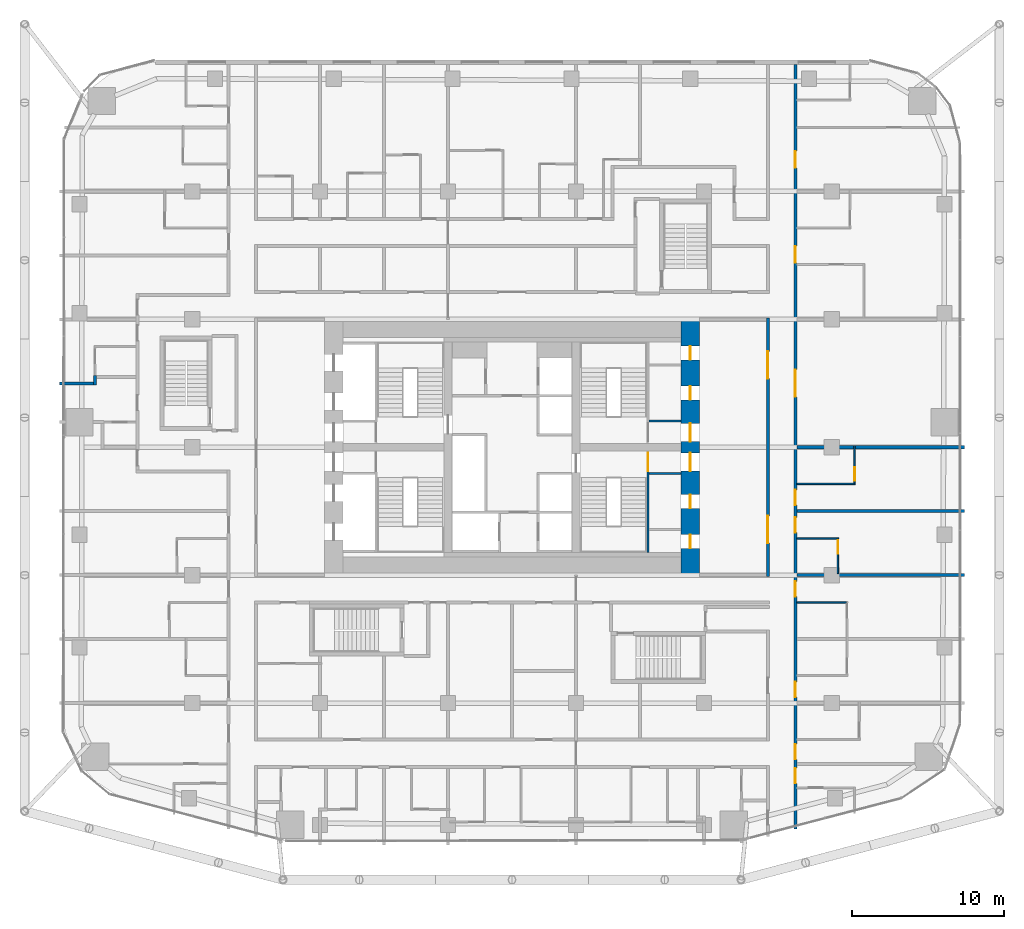
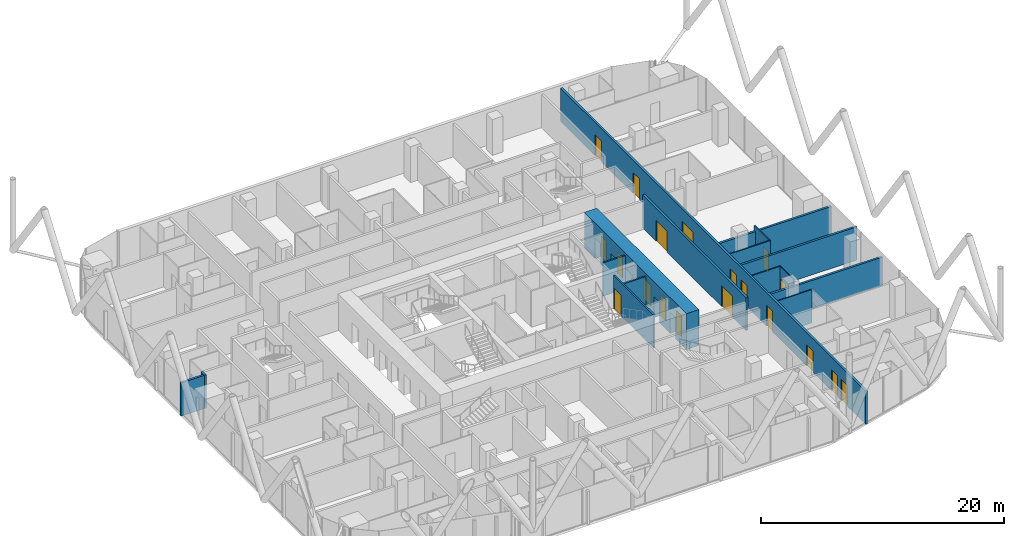
# One storey, part 28 of 35: 20 doors, 16 walls, 20 openings.
"""IFC4 building model written with IfcOpenShell, lengths in metres."""

from ifc_helpers import new_model, si_unit, direction, frame, frame_2d, origin, place, context, subcontext, project, spatial, rectangle, extrude, material, layer, layer_set, type_object, element, fill, save


model = new_model("IFC4")

# Units and contexts
model_context = context("Model", 3, precision=1e-05, world=origin(), true_north=direction((0.0, 1.0)))
body_context = subcontext(model_context, "Body", "Model", "MODEL_VIEW")
ifc_project = project(units=[si_unit("LENGTHUNIT", "METRE"), si_unit("AREAUNIT", "SQUARE_METRE"), si_unit("VOLUMEUNIT", "CUBIC_METRE"), si_unit("PLANEANGLEUNIT", "RADIAN"), si_unit("MASSUNIT", "GRAM", prefix="KILO")], contexts=[model_context])

# Site, building, storey
site_placement = place(None, origin())
site = spatial("IfcSite", under=ifc_project, at=site_placement, CompositionType="ELEMENT")
building_placement = place(site_placement, origin())
building = spatial("IfcBuilding", under=site, at=building_placement, Name="Marenta Gate Hotel Tower", CompositionType="ELEMENT")
storey_placement = place(building_placement, frame((0.0, 0.0, 61.699951171875)))
storey = spatial("IfcBuildingStorey", under=building, at=storey_placement, Name="L13", CompositionType="ELEMENT", Elevation=61.699951171875)

# Wall, openings, doors
ifc_material_1 = material(Name="Concrete blockwork", Category="masonry")
ifc_layer_1 = layer(ifc_material_1, 0.199951171875)
ifc_layer_set_1 = layer_set([ifc_layer_1], Name="Concrete blockwork")
wall_type_1 = type_object("IfcWallType", Name="Core boundary wall 200 REI 180", PredefinedType="PARTITIONING", material=ifc_layer_set_1)
wall_1_placement = place(storey_placement, frame((16.800048828125, -0.10009765625, 0.0), z_axis=(0.0, 0.0, 1.0), x_axis=(0.0, 1.0, 0.0)))
wall_1 = element("IfcWall", 1, at=wall_1_placement, inside=storey, type_object=wall_type_1, Name="L13-CP-BW-E", PredefinedType="PARTITIONING", context=body_context, shape_type="SweptSolid", body=[
    extrude(rectangle(XDim=17.0, YDim=0.199951171875, at=frame_2d((8.5, 0.0))), origin(), (0.0, 0.0, 1.0), 3.340087890625),
])
opening_1_placement = place(wall_1_placement, frame((2.199951171875, 0.0, 0.0)))
opening_1 = element("IfcOpeningElement", 2, at=opening_1_placement, cuts=wall_1, Name="Opening ED-Ea-B", PredefinedType="OPENING", context=body_context, shape_type="SweptSolid", body=[
    extrude(rectangle(XDim=1.800048828125, YDim=2.10009765625, at=frame_2d((0.89990234375, 1.050048828125))), frame((0.0, 0.10009765625, 0.0), z_axis=(0.0, -1.0, 0.0), x_axis=(1.0, 0.0, 0.0)), (0.0, 0.0, 1.0), 0.199951171875),
])
opening_2_placement = place(wall_1_placement, frame((13.0, 0.0, 0.0)))
opening_2 = element("IfcOpeningElement", 3, at=opening_2_placement, cuts=wall_1, Name="Opening ED-Eb-B", PredefinedType="OPENING", context=body_context, shape_type="SweptSolid", body=[
    extrude(rectangle(XDim=1.800048828125, YDim=2.10009765625, at=frame_2d((0.89990234375, 1.050048828125))), frame((0.0, 0.10009765625, 0.0), z_axis=(0.0, -1.0, 0.0), x_axis=(1.0, 0.0, 0.0)), (0.0, 0.0, 1.0), 0.199951171875),
])
ifc_material_2 = material(Name="Steel", Category="steel")
door_type_1 = type_object("IfcDoorType", Name="Core lobby entrance door 1800x2100 EI 60", OperationType="DOUBLE_DOOR_SINGLE_SWING", PredefinedType="DOOR", material=ifc_material_2)
door_1_placement = place(opening_1_placement, origin())
door_1 = element("IfcDoor", 4, at=door_1_placement, inside=storey, type_object=door_type_1, Name="ED-Ea-B", OperationType="DOUBLE_DOOR_SINGLE_SWING", OverallHeight=2.10009765625, OverallWidth=1.800048828125, PredefinedType="DOOR", context=body_context, shape_type="SweptSolid", body=[
    extrude(rectangle(XDim=1.800048828125, YDim=2.10009765625, at=frame_2d((0.89990234375, 1.050048828125))), frame((0.0, 0.02490234375, 0.0), z_axis=(0.0, -1.0, 0.0), x_axis=(1.0, 0.0, 0.0)), (0.0, 0.0, 1.0), 0.050048828125),
])
fill(opening_1, door_1)
door_2_placement = place(opening_2_placement, origin())
door_2 = element("IfcDoor", 5, at=door_2_placement, inside=storey, type_object=door_type_1, Name="ED-Eb-B", OperationType="DOUBLE_DOOR_SINGLE_SWING", OverallHeight=2.10009765625, OverallWidth=1.800048828125, PredefinedType="DOOR", context=body_context, shape_type="SweptSolid", body=[
    extrude(rectangle(XDim=1.800048828125, YDim=2.10009765625, at=frame_2d((0.89990234375, 1.050048828125))), frame((0.0, 0.02490234375, 0.0), z_axis=(0.0, -1.0, 0.0), x_axis=(1.0, 0.0, 0.0)), (0.0, 0.0, 1.0), 0.050048828125),
])
fill(opening_2, door_2)

# Walls
ifc_material_3 = material(Name="Concrete blockwork", Category="masonry")
ifc_layer_2 = layer(ifc_material_3, 0.14990234375)
ifc_layer_set_2 = layer_set([ifc_layer_2], Name="Concrete blockwork")
wall_type_2 = type_object("IfcWallType", Name="Core room partition 150 REI 180", PredefinedType="PARTITIONING", material=ifc_layer_set_2)
for number, where, z_axis, x_axis, name in (
    (6, (9.0, 6.675048828125, 0.0), (0.0, 0.0, 1.0), (1.0, 0.0, 0.0), "L13-CP-SW-ES-2"),
    (7, (9.0, 10.125, 0.0), (0.0, 0.0, 1.0), (1.0, 0.0, 0.0), "L13-CP-SW-EN-2"),
):
    element("IfcWall", number, at=place(storey_placement, frame(where, z_axis=z_axis, x_axis=x_axis)), inside=storey, type_object=wall_type_2, Name=name, PredefinedType="PARTITIONING", context=body_context, shape_type="SweptSolid", body=[
        extrude(rectangle(XDim=2.10009765625, YDim=0.14990234375, at=frame_2d((1.050048828125, 0.0))), origin(), (0.0, 0.0, 1.0), 3.340087890625),
    ])

# Wall, opening, door
ifc_material_4 = material(Name="Concrete C40", Category="concrete")
ifc_layer_3 = layer(ifc_material_4, 0.14990234375)
ifc_layer_set_3 = layer_set([ifc_layer_3], Name="Concrete C40")
wall_type_3 = type_object("IfcWallType", Name="Core stair enclosure wall 150 REI 180", PredefinedType="SHEAR", material=ifc_layer_set_3)
wall_2_placement = place(storey_placement, frame((8.925048828125, 1.5, 0.0), z_axis=(0.0, 0.0, 1.0), x_axis=(0.0, 1.0, 0.0)))
wall_2 = element("IfcWall", 8, at=wall_2_placement, inside=storey, type_object=wall_type_3, Name="L13-SHF-SW-ES-3", PredefinedType="SHEAR", context=body_context, shape_type="SweptSolid", body=[
    extrude(rectangle(XDim=6.60009765625, YDim=0.14990234375, at=frame_2d((3.300048828125, 0.0))), origin(), (0.0, 0.0, 1.0), 3.340087890625),
])
opening_3_placement = place(wall_2_placement, frame((5.324951171875, 0.0, 0.0)))
opening_3 = element("IfcOpeningElement", 9, at=opening_3_placement, cuts=wall_2, Name="Opening SD-ES", PredefinedType="OPENING", context=body_context, shape_type="SweptSolid", body=[
    extrude(rectangle(XDim=1.199951171875, YDim=2.10009765625, at=frame_2d((0.60009765625, 1.050048828125))), frame((0.0, 0.074951171875, 0.0), z_axis=(0.0, -1.0, 0.0), x_axis=(1.0, 0.0, 0.0)), (0.0, 0.0, 1.0), 0.14990234375),
])
ifc_material_5 = material(Name="Steel", Category="steel")
door_type_2 = type_object("IfcDoorType", Name="Core stair door 1200x2100 FD60", OperationType="SINGLE_SWING_LEFT", PredefinedType="DOOR", material=ifc_material_5)
door_3_placement = place(opening_3_placement, origin())
door_3 = element("IfcDoor", 10, at=door_3_placement, inside=storey, type_object=door_type_2, Name="SD-ES", OperationType="SINGLE_SWING_LEFT", OverallHeight=2.10009765625, OverallWidth=1.199951171875, PredefinedType="DOOR", context=body_context, shape_type="SweptSolid", body=[
    extrude(rectangle(XDim=1.199951171875, YDim=2.10009765625, at=frame_2d((0.60009765625, 1.050048828125))), frame((0.0, 0.02490234375, 0.0), z_axis=(0.0, -1.0, 0.0), x_axis=(1.0, 0.0, 0.0)), (0.0, 0.0, 1.0), 0.050048828125),
])
fill(opening_3, door_3)

# Wall, openings, doors
ifc_material_6 = material(Name="Concrete C80", Category="concrete")
ifc_layer_4 = layer(ifc_material_6, 1.199951171875)
ifc_layer_set_4 = layer_set([ifc_layer_4], Name="Concrete C80")
wall_type_4 = type_object("IfcWallType", Name="Core wall 1200 C80", PredefinedType="SHEAR", material=ifc_layer_set_4)
wall_3_placement = place(storey_placement, frame((11.699951171875, 0.0, 0.0), z_axis=(0.0, 0.0, 1.0), x_axis=(0.0, 1.0, 0.0)))
wall_3 = element("IfcWall", 11, at=wall_3_placement, inside=storey, type_object=wall_type_4, Name="L13-CORE-E", PredefinedType="SHEAR", context=body_context, shape_type="SweptSolid", body=[
    extrude(rectangle(XDim=16.800048828125, YDim=1.199951171875, at=frame_2d((8.39990234375, 0.0))), origin(), (0.0, 0.0, 1.0), 3.60009765625),
])
opening_4_placement = place(wall_3_placement, frame((1.762451171875, 0.0, 0.0)))
opening_4 = element("IfcOpeningElement", 12, at=opening_4_placement, cuts=wall_3, Name="Opening RD-ES-1", PredefinedType="OPENING", context=body_context, shape_type="SweptSolid", body=[
    extrude(rectangle(XDim=0.89990234375, YDim=2.10009765625, at=frame_2d((0.449951171875, 1.050048828125))), frame((0.0, 0.60009765625, 0.0), z_axis=(0.0, -1.0, 0.0), x_axis=(1.0, 0.0, 0.0)), (0.0, 0.0, 1.0), 1.199951171875),
])
opening_5_placement = place(wall_3_placement, frame((4.387451171875, 0.0, 0.0)))
opening_5 = element("IfcOpeningElement", 13, at=opening_5_placement, cuts=wall_3, Name="Opening RD-ES-2", PredefinedType="OPENING", context=body_context, shape_type="SweptSolid", body=[
    extrude(rectangle(XDim=0.89990234375, YDim=2.10009765625, at=frame_2d((0.449951171875, 1.050048828125))), frame((0.0, 0.60009765625, 0.0), z_axis=(0.0, -1.0, 0.0), x_axis=(1.0, 0.0, 0.0)), (0.0, 0.0, 1.0), 1.199951171875),
])
opening_6_placement = place(wall_3_placement, frame((6.824951171875, 0.0, 0.0)))
opening_6 = element("IfcOpeningElement", 14, at=opening_6_placement, cuts=wall_3, Name="Opening PD-ES", PredefinedType="OPENING", context=body_context, shape_type="SweptSolid", body=[
    extrude(rectangle(XDim=1.199951171875, YDim=2.10009765625, at=frame_2d((0.60009765625, 1.050048828125))), frame((0.0, 0.60009765625, 0.0), z_axis=(0.0, -1.0, 0.0), x_axis=(1.0, 0.0, 0.0)), (0.0, 0.0, 1.0), 1.199951171875),
])
opening_7_placement = place(wall_3_placement, frame((14.137451171875, 0.0, 0.0)))
opening_7 = element("IfcOpeningElement", 15, at=opening_7_placement, cuts=wall_3, Name="Opening RD-EN-1", PredefinedType="OPENING", context=body_context, shape_type="SweptSolid", body=[
    extrude(rectangle(XDim=0.89990234375, YDim=2.10009765625, at=frame_2d((0.449951171875, 1.050048828125))), frame((0.0, 0.60009765625, 0.0), z_axis=(0.0, -1.0, 0.0), x_axis=(1.0, 0.0, 0.0)), (0.0, 0.0, 1.0), 1.199951171875),
])
opening_8_placement = place(wall_3_placement, frame((11.512451171875, 0.0, 0.0)))
opening_8 = element("IfcOpeningElement", 16, at=opening_8_placement, cuts=wall_3, Name="Opening RD-EN-2", PredefinedType="OPENING", context=body_context, shape_type="SweptSolid", body=[
    extrude(rectangle(XDim=0.89990234375, YDim=2.10009765625, at=frame_2d((0.449951171875, 1.050048828125))), frame((0.0, 0.60009765625, 0.0), z_axis=(0.0, -1.0, 0.0), x_axis=(1.0, 0.0, 0.0)), (0.0, 0.0, 1.0), 1.199951171875),
])
opening_9_placement = place(wall_3_placement, frame((8.77490234375, 0.0, 0.0)))
opening_9 = element("IfcOpeningElement", 17, at=opening_9_placement, cuts=wall_3, Name="Opening PD-EN", PredefinedType="OPENING", context=body_context, shape_type="SweptSolid", body=[
    extrude(rectangle(XDim=1.199951171875, YDim=2.10009765625, at=frame_2d((0.60009765625, 1.050048828125))), frame((0.0, 0.60009765625, 0.0), z_axis=(0.0, -1.0, 0.0), x_axis=(1.0, 0.0, 0.0)), (0.0, 0.0, 1.0), 1.199951171875),
])
ifc_material_7 = material(Name="Steel", Category="steel")
door_type_3 = type_object("IfcDoorType", Name="Core lobby door 1200x2100 FD60", OperationType="SINGLE_SWING_LEFT", PredefinedType="DOOR", material=ifc_material_7)
door_4_placement = place(opening_6_placement, origin())
door_4 = element("IfcDoor", 18, at=door_4_placement, inside=storey, type_object=door_type_3, Name="PD-ES", OperationType="SINGLE_SWING_LEFT", OverallHeight=2.10009765625, OverallWidth=1.199951171875, PredefinedType="DOOR", context=body_context, shape_type="SweptSolid", body=[
    extrude(rectangle(XDim=1.199951171875, YDim=2.10009765625, at=frame_2d((0.60009765625, 1.050048828125))), frame((0.0, 0.02490234375, 0.0), z_axis=(0.0, -1.0, 0.0), x_axis=(1.0, 0.0, 0.0)), (0.0, 0.0, 1.0), 0.050048828125),
])
fill(opening_6, door_4)
door_5_placement = place(opening_9_placement, origin())
door_5 = element("IfcDoor", 19, at=door_5_placement, inside=storey, type_object=door_type_3, Name="PD-EN", OperationType="SINGLE_SWING_LEFT", OverallHeight=2.10009765625, OverallWidth=1.199951171875, PredefinedType="DOOR", context=body_context, shape_type="SweptSolid", body=[
    extrude(rectangle(XDim=1.199951171875, YDim=2.10009765625, at=frame_2d((0.60009765625, 1.050048828125))), frame((0.0, 0.02490234375, 0.0), z_axis=(0.0, -1.0, 0.0), x_axis=(1.0, 0.0, 0.0)), (0.0, 0.0, 1.0), 0.050048828125),
])
fill(opening_9, door_5)
ifc_material_8 = material(Name="Steel", Category="steel")
door_type_4 = type_object("IfcDoorType", Name="Core service room door 900x2100 FD30S", OperationType="SINGLE_SWING_LEFT", PredefinedType="DOOR", material=ifc_material_8)
door_6_placement = place(opening_4_placement, origin())
door_6 = element("IfcDoor", 20, at=door_6_placement, inside=storey, type_object=door_type_4, Name="RD-ES-1", OperationType="SINGLE_SWING_LEFT", OverallHeight=2.10009765625, OverallWidth=0.89990234375, PredefinedType="DOOR", context=body_context, shape_type="SweptSolid", body=[
    extrude(rectangle(XDim=0.89990234375, YDim=2.10009765625, at=frame_2d((0.449951171875, 1.050048828125))), frame((0.0, 0.02490234375, 0.0), z_axis=(0.0, -1.0, 0.0), x_axis=(1.0, 0.0, 0.0)), (0.0, 0.0, 1.0), 0.050048828125),
])
fill(opening_4, door_6)
door_7_placement = place(opening_5_placement, origin())
door_7 = element("IfcDoor", 21, at=door_7_placement, inside=storey, type_object=door_type_4, Name="RD-ES-2", OperationType="SINGLE_SWING_LEFT", OverallHeight=2.10009765625, OverallWidth=0.89990234375, PredefinedType="DOOR", context=body_context, shape_type="SweptSolid", body=[
    extrude(rectangle(XDim=0.89990234375, YDim=2.10009765625, at=frame_2d((0.449951171875, 1.050048828125))), frame((0.0, 0.02490234375, 0.0), z_axis=(0.0, -1.0, 0.0), x_axis=(1.0, 0.0, 0.0)), (0.0, 0.0, 1.0), 0.050048828125),
])
fill(opening_5, door_7)
door_8_placement = place(opening_7_placement, origin())
door_8 = element("IfcDoor", 22, at=door_8_placement, inside=storey, type_object=door_type_4, Name="RD-EN-1", OperationType="SINGLE_SWING_LEFT", OverallHeight=2.10009765625, OverallWidth=0.89990234375, PredefinedType="DOOR", context=body_context, shape_type="SweptSolid", body=[
    extrude(rectangle(XDim=0.89990234375, YDim=2.10009765625, at=frame_2d((0.449951171875, 1.050048828125))), frame((0.0, 0.02490234375, 0.0), z_axis=(0.0, -1.0, 0.0), x_axis=(1.0, 0.0, 0.0)), (0.0, 0.0, 1.0), 0.050048828125),
])
fill(opening_7, door_8)
door_9_placement = place(opening_8_placement, origin())
door_9 = element("IfcDoor", 23, at=door_9_placement, inside=storey, type_object=door_type_4, Name="RD-EN-2", OperationType="SINGLE_SWING_LEFT", OverallHeight=2.10009765625, OverallWidth=0.89990234375, PredefinedType="DOOR", context=body_context, shape_type="SweptSolid", body=[
    extrude(rectangle(XDim=0.89990234375, YDim=2.10009765625, at=frame_2d((0.449951171875, 1.050048828125))), frame((0.0, 0.02490234375, 0.0), z_axis=(0.0, -1.0, 0.0), x_axis=(1.0, 0.0, 0.0)), (0.0, 0.0, 1.0), 0.050048828125),
])
fill(opening_8, door_9)

ifc_material_9 = material(Name="Gypsum board on steel stud", Category="steel")
ifc_layer_5 = layer(ifc_material_9, 0.199951171875)
ifc_layer_set_5 = layer_set([ifc_layer_5], Name="Gypsum board on steel stud")
wall_type_5 = type_object("IfcWallType", Name="Room corridor wall 200 EI 60", PredefinedType="PARTITIONING", material=ifc_layer_set_5)
wall_4_placement = place(storey_placement, frame((18.60009765625, -16.6650390625, 0.0), z_axis=(0.0, 0.0, 1.0), x_axis=(0.0, 1.0, 0.0)))
wall_4 = element("IfcWall", 24, at=wall_4_placement, inside=storey, type_object=wall_type_5, Name="L13-PTN-W009", PredefinedType="PARTITIONING", context=body_context, shape_type="SweptSolid", body=[
    extrude(rectangle(XDim=50.205078125, YDim=0.199951171875, at=frame_2d((25.1025390625, 0.0))), origin(), (0.0, 0.0, 1.0), 3.340087890625),
])
opening_10_placement = place(wall_4_placement, frame((2.990966796875, 0.0, 0.0)))
opening_10 = element("IfcOpeningElement", 25, at=opening_10_placement, cuts=wall_4, Name="Opening G04-10", PredefinedType="OPENING", context=body_context, shape_type="SweptSolid", body=[
    extrude(rectangle(XDim=1.0, YDim=2.10009765625, at=frame_2d((0.5, 1.050048828125))), frame((0.0, 0.10009765625, 0.0), z_axis=(0.0, -1.0, 0.0), x_axis=(1.0, 0.0, 0.0)), (0.0, 0.0, 1.0), 0.199951171875),
])
opening_11_placement = place(wall_4_placement, frame((4.573974609375, 0.0, 0.0)))
opening_11 = element("IfcOpeningElement", 26, at=opening_11_placement, cuts=wall_4, Name="Opening G04-12", PredefinedType="OPENING", context=body_context, shape_type="SweptSolid", body=[
    extrude(rectangle(XDim=1.0, YDim=2.10009765625, at=frame_2d((0.5, 1.050048828125))), frame((0.0, 0.10009765625, 0.0), z_axis=(0.0, -1.0, 0.0), x_axis=(1.0, 0.0, 0.0)), (0.0, 0.0, 1.0), 0.199951171875),
])
opening_12_placement = place(wall_4_placement, frame((8.6650390625, 0.0, 0.0)))
opening_12 = element("IfcOpeningElement", 27, at=opening_12_placement, cuts=wall_4, Name="Opening G04-14", PredefinedType="OPENING", context=body_context, shape_type="SweptSolid", body=[
    extrude(rectangle(XDim=1.0, YDim=2.10009765625, at=frame_2d((0.5, 1.050048828125))), frame((0.0, 0.10009765625, 0.0), z_axis=(0.0, -1.0, 0.0), x_axis=(1.0, 0.0, 0.0)), (0.0, 0.0, 1.0), 0.199951171875),
])
opening_13_placement = place(wall_4_placement, frame((15.264892578125, 0.0, 0.0)))
opening_13 = element("IfcOpeningElement", 28, at=opening_13_placement, cuts=wall_4, Name="Opening G04-16", PredefinedType="OPENING", context=body_context, shape_type="SweptSolid", body=[
    extrude(rectangle(XDim=1.0, YDim=2.10009765625, at=frame_2d((0.5, 1.050048828125))), frame((0.0, 0.10009765625, 0.0), z_axis=(0.0, -1.0, 0.0), x_axis=(1.0, 0.0, 0.0)), (0.0, 0.0, 1.0), 0.199951171875),
])
opening_14_placement = place(wall_4_placement, frame((19.465087890625, 0.0, 0.0)))
opening_14 = element("IfcOpeningElement", 29, at=opening_14_placement, cuts=wall_4, Name="Opening G04-18", PredefinedType="OPENING", context=body_context, shape_type="SweptSolid", body=[
    extrude(rectangle(XDim=1.0, YDim=2.10009765625, at=frame_2d((0.5, 1.050048828125))), frame((0.0, 0.10009765625, 0.0), z_axis=(0.0, -1.0, 0.0), x_axis=(1.0, 0.0, 0.0)), (0.0, 0.0, 1.0), 0.199951171875),
])
opening_15_placement = place(wall_4_placement, frame((21.264892578125, 0.0, 0.0)))
opening_15 = element("IfcOpeningElement", 30, at=opening_15_placement, cuts=wall_4, Name="Opening G04-20", PredefinedType="OPENING", context=body_context, shape_type="SweptSolid", body=[
    extrude(rectangle(XDim=1.0, YDim=2.10009765625, at=frame_2d((0.5, 1.050048828125))), frame((0.0, 0.10009765625, 0.0), z_axis=(0.0, -1.0, 0.0), x_axis=(1.0, 0.0, 0.0)), (0.0, 0.0, 1.0), 0.199951171875),
])
opening_16_placement = place(wall_4_placement, frame((28.364990234375, 0.0, 0.0)))
opening_16 = element("IfcOpeningElement", 31, at=opening_16_placement, cuts=wall_4, Name="Opening G04-22", PredefinedType="OPENING", context=body_context, shape_type="SweptSolid", body=[
    extrude(rectangle(XDim=1.800048828125, YDim=2.10009765625, at=frame_2d((0.89990234375, 1.050048828125))), frame((0.0, 0.10009765625, 0.0), z_axis=(0.0, -1.0, 0.0), x_axis=(1.0, 0.0, 0.0)), (0.0, 0.0, 1.0), 0.199951171875),
])
opening_17_placement = place(wall_4_placement, frame((37.1650390625, 0.0, 0.0)))
opening_17 = element("IfcOpeningElement", 32, at=opening_17_placement, cuts=wall_4, Name="Opening G04-23", PredefinedType="OPENING", context=body_context, shape_type="SweptSolid", body=[
    extrude(rectangle(XDim=1.10009765625, YDim=2.10009765625, at=frame_2d((0.550048828125, 1.050048828125))), frame((0.0, 0.10009765625, 0.0), z_axis=(0.0, -1.0, 0.0), x_axis=(1.0, 0.0, 0.0)), (0.0, 0.0, 1.0), 0.199951171875),
])
opening_18_placement = place(wall_4_placement, frame((43.4150390625, 0.0, 0.0)))
opening_18 = element("IfcOpeningElement", 33, at=opening_18_placement, cuts=wall_4, Name="Opening G04-26", PredefinedType="OPENING", context=body_context, shape_type="SweptSolid", body=[
    extrude(rectangle(XDim=1.10009765625, YDim=2.10009765625, at=frame_2d((0.550048828125, 1.050048828125))), frame((0.0, 0.10009765625, 0.0), z_axis=(0.0, -1.0, 0.0), x_axis=(1.0, 0.0, 0.0)), (0.0, 0.0, 1.0), 0.199951171875),
])
ifc_material_10 = material(Name="Timber door leaf", Category="wood")
door_type_5 = type_object("IfcDoorType", Name="Guest room door 1000x2100 EI 30", OperationType="NOTDEFINED", PredefinedType="DOOR", material=ifc_material_10)
door_10_placement = place(opening_10_placement, origin())
door_10 = element("IfcDoor", 34, at=door_10_placement, inside=storey, type_object=door_type_5, Name="L13-PD-D010", OperationType="SINGLE_SWING_RIGHT", OverallHeight=2.10009765625, OverallWidth=1.0, PredefinedType="DOOR", context=body_context, shape_type="SweptSolid", body=[
    extrude(rectangle(XDim=1.0, YDim=2.10009765625, at=frame_2d((0.5, 1.050048828125))), frame((0.0, 0.02490234375, 0.0), z_axis=(0.0, -1.0, 0.0), x_axis=(1.0, 0.0, 0.0)), (0.0, 0.0, 1.0), 0.050048828125),
])
fill(opening_10, door_10)
door_11_placement = place(opening_11_placement, origin())
door_11 = element("IfcDoor", 35, at=door_11_placement, inside=storey, type_object=door_type_5, Name="L13-PD-D012", OperationType="SINGLE_SWING_RIGHT", OverallHeight=2.10009765625, OverallWidth=1.0, PredefinedType="DOOR", context=body_context, shape_type="SweptSolid", body=[
    extrude(rectangle(XDim=1.0, YDim=2.10009765625, at=frame_2d((0.5, 1.050048828125))), frame((0.0, 0.02490234375, 0.0), z_axis=(0.0, -1.0, 0.0), x_axis=(1.0, 0.0, 0.0)), (0.0, 0.0, 1.0), 0.050048828125),
])
fill(opening_11, door_11)
door_12_placement = place(opening_12_placement, origin())
door_12 = element("IfcDoor", 36, at=door_12_placement, inside=storey, type_object=door_type_5, Name="L13-PD-D014", OperationType="SINGLE_SWING_RIGHT", OverallHeight=2.10009765625, OverallWidth=1.0, PredefinedType="DOOR", context=body_context, shape_type="SweptSolid", body=[
    extrude(rectangle(XDim=1.0, YDim=2.10009765625, at=frame_2d((0.5, 1.050048828125))), frame((0.0, 0.02490234375, 0.0), z_axis=(0.0, -1.0, 0.0), x_axis=(1.0, 0.0, 0.0)), (0.0, 0.0, 1.0), 0.050048828125),
])
fill(opening_12, door_12)
door_13_placement = place(opening_13_placement, origin())
door_13 = element("IfcDoor", 37, at=door_13_placement, inside=storey, type_object=door_type_5, Name="L13-PD-D016", OperationType="SINGLE_SWING_RIGHT", OverallHeight=2.10009765625, OverallWidth=1.0, PredefinedType="DOOR", context=body_context, shape_type="SweptSolid", body=[
    extrude(rectangle(XDim=1.0, YDim=2.10009765625, at=frame_2d((0.5, 1.050048828125))), frame((0.0, 0.02490234375, 0.0), z_axis=(0.0, -1.0, 0.0), x_axis=(1.0, 0.0, 0.0)), (0.0, 0.0, 1.0), 0.050048828125),
])
fill(opening_13, door_13)
door_14_placement = place(opening_14_placement, origin())
door_14 = element("IfcDoor", 38, at=door_14_placement, inside=storey, type_object=door_type_5, Name="L13-PD-D018", OperationType="SINGLE_SWING_RIGHT", OverallHeight=2.10009765625, OverallWidth=1.0, PredefinedType="DOOR", context=body_context, shape_type="SweptSolid", body=[
    extrude(rectangle(XDim=1.0, YDim=2.10009765625, at=frame_2d((0.5, 1.050048828125))), frame((0.0, 0.02490234375, 0.0), z_axis=(0.0, -1.0, 0.0), x_axis=(1.0, 0.0, 0.0)), (0.0, 0.0, 1.0), 0.050048828125),
])
fill(opening_14, door_14)
door_15_placement = place(opening_15_placement, origin())
door_15 = element("IfcDoor", 39, at=door_15_placement, inside=storey, type_object=door_type_5, Name="L13-PD-D020", OperationType="SINGLE_SWING_RIGHT", OverallHeight=2.10009765625, OverallWidth=1.0, PredefinedType="DOOR", context=body_context, shape_type="SweptSolid", body=[
    extrude(rectangle(XDim=1.0, YDim=2.10009765625, at=frame_2d((0.5, 1.050048828125))), frame((0.0, 0.02490234375, 0.0), z_axis=(0.0, -1.0, 0.0), x_axis=(1.0, 0.0, 0.0)), (0.0, 0.0, 1.0), 0.050048828125),
])
fill(opening_15, door_15)
ifc_material_11 = material(Name="Timber door leaf", Category="wood")
door_type_6 = type_object("IfcDoorType", Name="Guest room door 1100x2100 EI 30", OperationType="NOTDEFINED", PredefinedType="DOOR", material=ifc_material_11)
door_16_placement = place(opening_17_placement, origin())
door_16 = element("IfcDoor", 40, at=door_16_placement, inside=storey, type_object=door_type_6, Name="L13-PD-D023", OperationType="SINGLE_SWING_RIGHT", OverallHeight=2.10009765625, OverallWidth=1.10009765625, PredefinedType="DOOR", context=body_context, shape_type="SweptSolid", body=[
    extrude(rectangle(XDim=1.10009765625, YDim=2.10009765625, at=frame_2d((0.550048828125, 1.050048828125))), frame((0.0, 0.02490234375, 0.0), z_axis=(0.0, -1.0, 0.0), x_axis=(1.0, 0.0, 0.0)), (0.0, 0.0, 1.0), 0.050048828125),
])
fill(opening_17, door_16)
door_17_placement = place(opening_18_placement, origin())
door_17 = element("IfcDoor", 41, at=door_17_placement, inside=storey, type_object=door_type_6, Name="L13-PD-D026", OperationType="SINGLE_SWING_RIGHT", OverallHeight=2.10009765625, OverallWidth=1.10009765625, PredefinedType="DOOR", context=body_context, shape_type="SweptSolid", body=[
    extrude(rectangle(XDim=1.10009765625, YDim=2.10009765625, at=frame_2d((0.550048828125, 1.050048828125))), frame((0.0, 0.02490234375, 0.0), z_axis=(0.0, -1.0, 0.0), x_axis=(1.0, 0.0, 0.0)), (0.0, 0.0, 1.0), 0.050048828125),
])
fill(opening_18, door_17)
ifc_material_12 = material(Name="Timber door leaf", Category="wood")
door_type_7 = type_object("IfcDoorType", Name="Room amenity door 1800x2100 EI 30", OperationType="DOUBLE_DOOR_SINGLE_SWING", PredefinedType="DOOR", material=ifc_material_12)
door_18_placement = place(opening_16_placement, origin())
door_18 = element("IfcDoor", 42, at=door_18_placement, inside=storey, type_object=door_type_7, Name="L13-PD-D022", OperationType="DOUBLE_DOOR_SINGLE_SWING", OverallHeight=2.10009765625, OverallWidth=1.800048828125, PredefinedType="DOOR", context=body_context, shape_type="SweptSolid", body=[
    extrude(rectangle(XDim=1.800048828125, YDim=2.10009765625, at=frame_2d((0.89990234375, 1.050048828125))), frame((0.0, 0.02490234375, 0.0), z_axis=(0.0, -1.0, 0.0), x_axis=(1.0, 0.0, 0.0)), (0.0, 0.0, 1.0), 0.050048828125),
])
fill(opening_16, door_18)

# Wall, opening, door
ifc_material_13 = material(Name="Gypsum board on steel stud", Category="steel")
ifc_layer_6 = layer(ifc_material_13, 0.10009765625)
ifc_layer_set_6 = layer_set([ifc_layer_6], Name="Gypsum board on steel stud")
wall_type_6 = type_object("IfcWallType", Name="Room partition 100", PredefinedType="PARTITIONING", material=ifc_layer_set_6)
wall_5_placement = place(storey_placement, frame((22.5, 6.050048828125, 0.0), z_axis=(0.0, 0.0, 1.0), x_axis=(0.0, 1.0, 0.0)))
wall_5 = element("IfcWall", 43, at=wall_5_placement, inside=storey, type_object=wall_type_6, Name="L13-PTN-W004", PredefinedType="PARTITIONING", context=body_context, shape_type="SweptSolid", body=[
    extrude(rectangle(XDim=2.449951171875, YDim=0.10009765625, at=frame_2d((1.22509765625, 0.0))), origin(), (0.0, 0.0, 1.0), 3.340087890625),
])
opening_19_placement = place(wall_5_placement, frame((0.14990234375, 0.0, 0.0)))
opening_19 = element("IfcOpeningElement", 44, at=opening_19_placement, cuts=wall_5, Name="Opening G04-21", PredefinedType="OPENING", context=body_context, shape_type="SweptSolid", body=[
    extrude(rectangle(XDim=0.89990234375, YDim=2.10009765625, at=frame_2d((0.449951171875, 1.050048828125))), frame((0.0, 0.050048828125, 0.0), z_axis=(0.0, -1.0, 0.0), x_axis=(1.0, 0.0, 0.0)), (0.0, 0.0, 1.0), 0.10009765625),
])
ifc_material_14 = material(Name="Timber door leaf", Category="wood")
door_type_8 = type_object("IfcDoorType", Name="Guest bathroom door 900x2100", OperationType="NOTDEFINED", PredefinedType="DOOR", material=ifc_material_14)
door_19_placement = place(opening_19_placement, origin())
door_19 = element("IfcDoor", 45, at=door_19_placement, inside=storey, type_object=door_type_8, Name="L13-PD-D021", OperationType="SINGLE_SWING_LEFT", OverallHeight=2.10009765625, OverallWidth=0.89990234375, PredefinedType="DOOR", context=body_context, shape_type="SweptSolid", body=[
    extrude(rectangle(XDim=0.89990234375, YDim=2.10009765625, at=frame_2d((0.449951171875, 1.050048828125))), frame((0.0, 0.02490234375, 0.0), z_axis=(0.0, -1.0, 0.0), x_axis=(1.0, 0.0, 0.0)), (0.0, 0.0, 1.0), 0.050048828125),
])
fill(opening_19, door_19)

wall_6_placement = place(storey_placement, frame((21.39990234375, 0.10009765625, 0.0), z_axis=(0.0, 0.0, 1.0), x_axis=(0.0, 1.0, 0.0)))
wall_6 = element("IfcWall", 46, at=wall_6_placement, inside=storey, type_object=wall_type_6, Name="L13-PTN-W008", PredefinedType="PARTITIONING", context=body_context, shape_type="SweptSolid", body=[
    extrude(rectangle(XDim=2.349853515625, YDim=0.10009765625, at=frame_2d((1.1748046875, 0.0))), origin(), (0.0, 0.0, 1.0), 3.340087890625),
])
opening_20_placement = place(wall_6_placement, frame((1.300048828125, 0.0, 0.0)))
opening_20 = element("IfcOpeningElement", 47, at=opening_20_placement, cuts=wall_6, Name="Opening G04-19", PredefinedType="OPENING", context=body_context, shape_type="SweptSolid", body=[
    extrude(rectangle(XDim=0.89990234375, YDim=2.10009765625, at=frame_2d((0.449951171875, 1.050048828125))), frame((0.0, 0.050048828125, 0.0), z_axis=(0.0, -1.0, 0.0), x_axis=(1.0, 0.0, 0.0)), (0.0, 0.0, 1.0), 0.10009765625),
])
door_20_placement = place(opening_20_placement, origin())
door_20 = element("IfcDoor", 48, at=door_20_placement, inside=storey, type_object=door_type_8, Name="L13-PD-D019", OperationType="SINGLE_SWING_RIGHT", OverallHeight=2.10009765625, OverallWidth=0.89990234375, PredefinedType="DOOR", context=body_context, shape_type="SweptSolid", body=[
    extrude(rectangle(XDim=0.89990234375, YDim=2.10009765625, at=frame_2d((0.449951171875, 1.050048828125))), frame((0.0, 0.02490234375, 0.0), z_axis=(0.0, -1.0, 0.0), x_axis=(1.0, 0.0, 0.0)), (0.0, 0.0, 1.0), 0.050048828125),
])
fill(opening_20, door_20)

# Walls
wall_7_placement = place(storey_placement, frame((18.699951171875, -1.800048828125, 0.0), z_axis=(0.0, 0.0, 1.0), x_axis=(1.0, 0.0, 0.0)))
element("IfcWall", 49, at=wall_7_placement, inside=storey, type_object=wall_type_6, Name="L13-PTN-W062", PredefinedType="PARTITIONING", context=body_context, shape_type="SweptSolid", body=[
    extrude(rectangle(XDim=3.25, YDim=0.10009765625, at=frame_2d((1.625, 0.0))), origin(), (0.0, 0.0, 1.0), 3.340087890625),
])
wall_8_placement = place(storey_placement, frame((18.699951171875, 2.39990234375, 0.0), z_axis=(0.0, 0.0, 1.0), x_axis=(1.0, 0.0, 0.0)))
element("IfcWall", 50, at=wall_8_placement, inside=storey, type_object=wall_type_6, Name="L13-PTN-W074", PredefinedType="PARTITIONING", context=body_context, shape_type="SweptSolid", body=[
    extrude(rectangle(XDim=2.650146484375, YDim=0.10009765625, at=frame_2d((1.3251953125, 0.0))), origin(), (0.0, 0.0, 1.0), 3.340087890625),
])
wall_9_placement = place(storey_placement, frame((18.699951171875, 6.0, 0.0), z_axis=(0.0, 0.0, 1.0), x_axis=(1.0, 0.0, 0.0)))
element("IfcWall", 51, at=wall_9_placement, inside=storey, type_object=wall_type_6, Name="L13-PTN-W083", PredefinedType="PARTITIONING", context=body_context, shape_type="SweptSolid", body=[
    extrude(rectangle(XDim=3.85009765625, YDim=0.10009765625, at=frame_2d((1.925048828125, 0.0))), origin(), (0.0, 0.0, 1.0), 3.340087890625),
])
ifc_material_15 = material(Name="Gypsum board on steel stud", Category="steel")
ifc_layer_7 = layer(ifc_material_15, 0.199951171875)
ifc_layer_set_7 = layer_set([ifc_layer_7], Name="Gypsum board on steel stud")
wall_type_7 = type_object("IfcWallType", Name="Room party wall 200 EI 60", PredefinedType="PARTITIONING", material=ifc_layer_set_7)
wall_10_placement = place(storey_placement, frame((18.699951171875, 0.0, 0.0), z_axis=(0.0, 0.0, 1.0), x_axis=(1.0, 0.0, 0.0)))
element("IfcWall", 52, at=wall_10_placement, inside=storey, type_object=wall_type_7, Name="L13-PTN-W070", PredefinedType="PARTITIONING", context=body_context, shape_type="SweptSolid", body=[
    extrude(rectangle(XDim=11.0, YDim=0.199951171875, at=frame_2d((5.5, 0.0))), origin(), (0.0, 0.0, 1.0), 2.840087890625),
])
wall_11_placement = place(storey_placement, frame((18.699951171875, 4.199951171875, 0.0), z_axis=(0.0, 0.0, 1.0), x_axis=(1.0, 0.0, 0.0)))
element("IfcWall", 53, at=wall_11_placement, inside=storey, type_object=wall_type_7, Name="L13-PTN-W080", PredefinedType="PARTITIONING", context=body_context, shape_type="SweptSolid", body=[
    extrude(rectangle(XDim=11.0, YDim=0.199951171875, at=frame_2d((5.5, 0.0))), origin(), (0.0, 0.0, 1.0), 3.340087890625),
])
wall_12_placement = place(storey_placement, frame((18.699951171875, 8.39990234375, 0.0), z_axis=(0.0, 0.0, 1.0), x_axis=(1.0, 0.0, 0.0)))
element("IfcWall", 54, at=wall_12_placement, inside=storey, type_object=wall_type_7, Name="L13-PTN-W091", PredefinedType="PARTITIONING", context=body_context, shape_type="SweptSolid", body=[
    extrude(rectangle(XDim=11.0, YDim=0.199951171875, at=frame_2d((5.5, 0.0))), origin(), (0.0, 0.0, 1.0), 2.840087890625),
])
wall_13_placement = place(storey_placement, frame((-29.699951171875, 12.60009765625, 0.0), z_axis=(0.0, 0.0, 1.0), x_axis=(1.0, 0.0, 0.0)))
element("IfcWall", 55, at=wall_13_placement, inside=storey, type_object=wall_type_7, Name="L13-PTN-W102", PredefinedType="PARTITIONING", context=body_context, shape_type="SweptSolid", body=[
    extrude(rectangle(XDim=2.224853515625, YDim=0.199951171875, at=frame_2d((1.1123046875, 0.0))), origin(), (0.0, 0.0, 1.0), 3.340087890625),
])
wall_14_placement = place(storey_placement, frame((-27.375, 12.5, 0.0), z_axis=(0.0, 0.0, 1.0), x_axis=(0.0, 1.0, 0.0)))
element("IfcWall", 56, at=wall_14_placement, inside=storey, type_object=wall_type_7, Name="L13-PTN-W148", PredefinedType="PARTITIONING", context=body_context, shape_type="SweptSolid", body=[
    extrude(rectangle(XDim=0.60009765625, YDim=0.199951171875, at=frame_2d((0.300048828125, 0.0))), origin(), (0.0, 0.0, 1.0), 3.340087890625),
])

save(model, "model.ifc")
